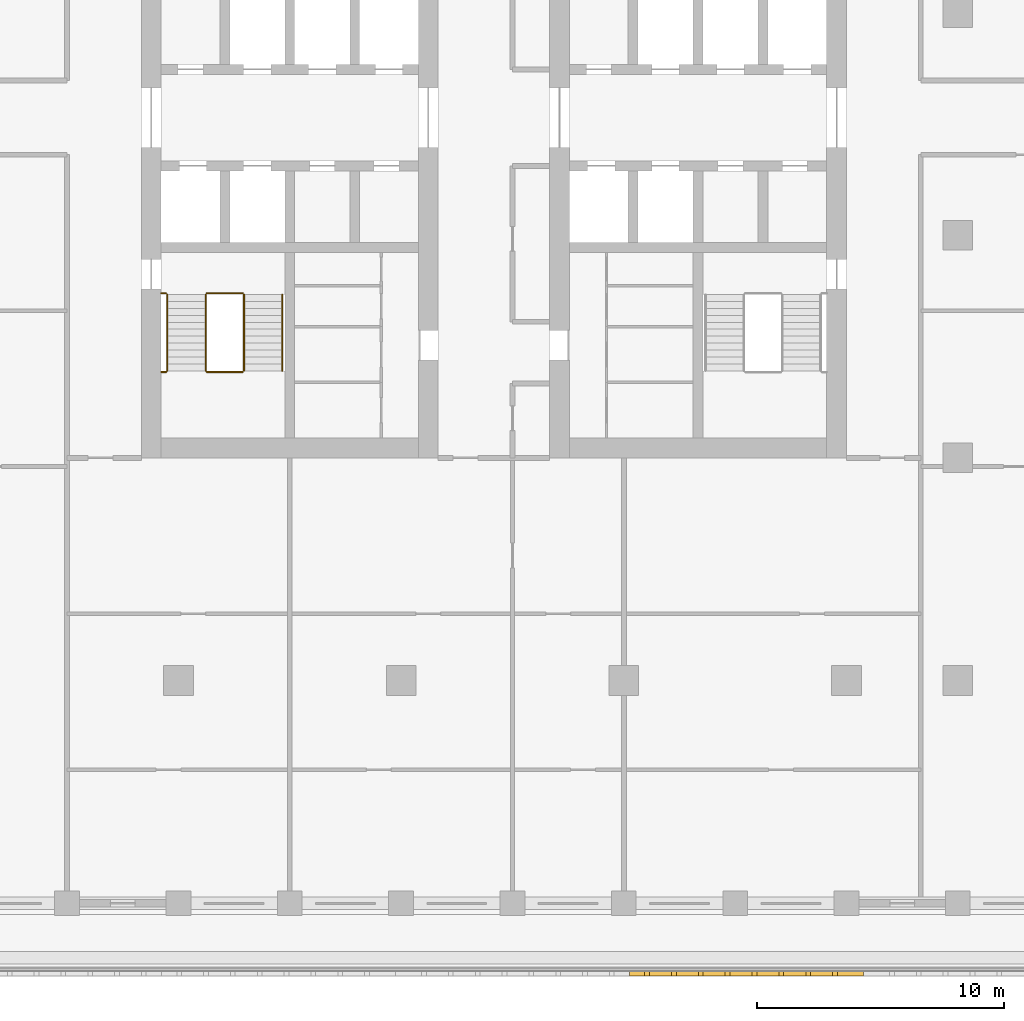
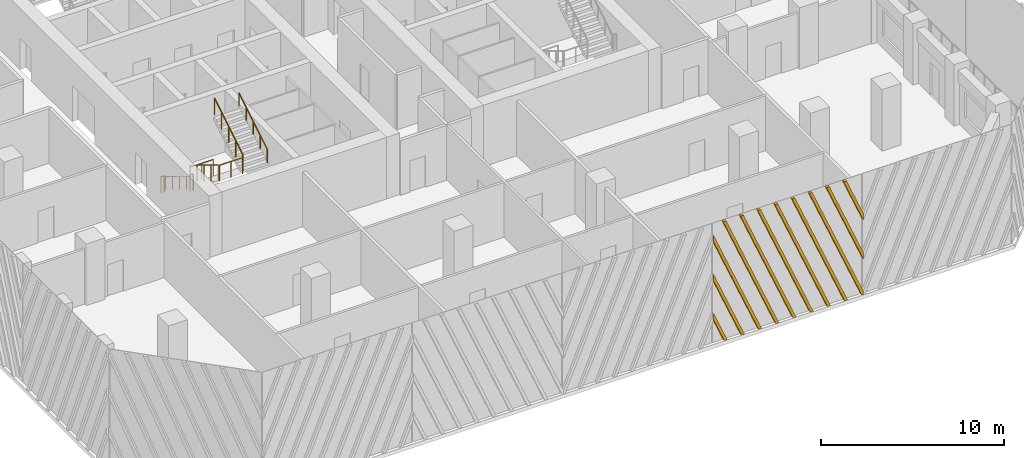
# One storey, part 11 of 17: 8 railings, 1 shading device.
"""IFC4 building model written with IfcOpenShell, lengths in metres."""

from ifc_helpers import new_model, si_unit, direction, frame, origin, origin_2d, place, context, subcontext, project, spatial, polyline, circle, outline, extrude, source, transform, mapped, material, type_object, element, save


model = new_model("IFC4")

# Units and contexts
model_context = context("Model", 3, precision=1e-05, world=origin(), true_north=direction((0.0, 1.0)))
body_context = subcontext(model_context, "Body", "Model", "MODEL_VIEW")
ifc_project = project(units=[si_unit("LENGTHUNIT", "METRE"), si_unit("AREAUNIT", "SQUARE_METRE"), si_unit("VOLUMEUNIT", "CUBIC_METRE"), si_unit("PLANEANGLEUNIT", "RADIAN"), si_unit("MASSUNIT", "GRAM", prefix="KILO")], contexts=[model_context])

# Site, building, storey
site_placement = place(None, origin())
site = spatial("IfcSite", under=ifc_project, at=site_placement, CompositionType="ELEMENT")
building_placement = place(site_placement, origin())
building = spatial("IfcBuilding", under=site, at=building_placement, Name="Corbel Stack Research Tower", CompositionType="ELEMENT")
storey_placement = place(building_placement, frame((0.0, 0.0, 207.89990234375)))
storey = spatial("IfcBuildingStorey", under=building, at=storey_placement, Name="L47", CompositionType="ELEMENT", Elevation=207.89990234375)

# Railings
ifc_material_1 = material(Name="Steel S355", Category="steel")
railing_type_1 = type_object("IfcRailingType", Name="Stair guard 1100", PredefinedType="GUARDRAIL", material=ifc_material_1)
railing_1_placement = place(storey_placement, frame((-7.89990234375, -2.39990234375, 0.1708984375)))
element("IfcRailing", 1, at=railing_1_placement, inside=storey, type_object=railing_type_1, Name="L47 ST-W1 stair guard 1", PredefinedType="GUARDRAIL", context=body_context, shape_type="SweptSolid", body=[
    extrude(circle(Radius=0.02392578125, at=origin_2d()), frame((0.0, 0.0, 1.076171875), z_axis=(0.0, -0.853666305674, 0.52082035152), x_axis=(1.0, 0.0, 0.0)), (0.0, 0.0, 1.0), 3.608154296875),
    extrude(circle(Radius=0.02099609375, at=origin_2d()), origin(), (0.0, 0.0, 1.0), 1.052001953125),
    extrude(circle(Radius=0.02099609375, at=origin_2d()), frame((0.0, -0.77001953125, 0.4697265625)), (0.0, 0.0, 1.0), 1.052001953125),
    extrude(circle(Radius=0.02099609375, at=origin_2d()), frame((0.0, -1.5400390625, 0.939453125)), (0.0, 0.0, 1.0), 1.052001953125),
    extrude(circle(Radius=0.02099609375, at=origin_2d()), frame((0.0, -2.31005859375, 1.409423828125)), (0.0, 0.0, 1.0), 1.052001953125),
    extrude(circle(Radius=0.02099609375, at=origin_2d()), frame((0.0, -3.080078125, 1.879150390625)), (0.0, 0.0, 1.0), 1.052001953125),
])
railing_2_placement = place(storey_placement, frame((-7.85009765625, -5.530029296875, 2.050048828125)))
element("IfcRailing", 2, at=railing_2_placement, inside=storey, type_object=railing_type_1, Name="L47 ST-W1 stair guard 2", PredefinedType="GUARDRAIL", context=body_context, shape_type="SweptSolid", body=[
    extrude(circle(Radius=0.02392578125, at=origin_2d()), frame((0.0, 0.0, 1.076171875), z_axis=(1.0, 0.0, 0.0), x_axis=(0.0, 1.0, 0.0)), (0.0, 0.0, 1.0), 1.4501953125),
    extrude(circle(Radius=0.02099609375, at=origin_2d()), origin(), (0.0, 0.0, 1.0), 1.052001953125),
    extrude(circle(Radius=0.02099609375, at=origin_2d()), frame((0.72509765625, 0.0, 0.0)), (0.0, 0.0, 1.0), 1.052001953125),
    extrude(circle(Radius=0.02099609375, at=origin_2d()), frame((1.4501953125, 0.0, 0.0)), (0.0, 0.0, 1.0), 1.052001953125),
])
railing_3_placement = place(storey_placement, frame((-9.699951171875, -5.530029296875, 2.050048828125)))
element("IfcRailing", 3, at=railing_3_placement, inside=storey, type_object=railing_type_1, Name="L47 ST-W1 stair guard 3", PredefinedType="GUARDRAIL", context=body_context, shape_type="SweptSolid", body=[
    extrude(circle(Radius=0.02392578125, at=origin_2d()), frame((0.0, 0.0, 1.076171875), z_axis=(1.0, 0.0, 0.0), x_axis=(0.0, 1.0, 0.0)), (0.0, 0.0, 1.0), 0.199951171875),
    extrude(circle(Radius=0.02099609375, at=origin_2d()), origin(), (0.0, 0.0, 1.0), 1.052001953125),
    extrude(circle(Radius=0.02099609375, at=origin_2d()), frame((0.199951171875, 0.0, 0.0)), (0.0, 0.0, 1.0), 1.052001953125),
])
railing_4_placement = place(storey_placement, frame((-6.35009765625, -5.47998046875, 2.220947265625)))
element("IfcRailing", 4, at=railing_4_placement, inside=storey, type_object=railing_type_1, Name="L47 ST-W1 stair guard 4", PredefinedType="GUARDRAIL", context=body_context, shape_type="SweptSolid", body=[
    extrude(circle(Radius=0.02392578125, at=origin_2d()), frame((0.0, 0.0, 1.076171875), z_axis=(0.0, 0.853666305674, 0.52082035152), x_axis=(-1.0, 0.0, 0.0)), (0.0, 0.0, 1.0), 3.608154296875),
    extrude(circle(Radius=0.02099609375, at=origin_2d()), origin(), (0.0, 0.0, 1.0), 1.052001953125),
    extrude(circle(Radius=0.02099609375, at=origin_2d()), frame((0.0, 0.77001953125, 0.4697265625)), (0.0, 0.0, 1.0), 1.052001953125),
    extrude(circle(Radius=0.02099609375, at=origin_2d()), frame((0.0, 1.5400390625, 0.939453125)), (0.0, 0.0, 1.0), 1.052001953125),
    extrude(circle(Radius=0.02099609375, at=origin_2d()), frame((0.0, 2.31005859375, 1.409423828125)), (0.0, 0.0, 1.0), 1.052001953125),
    extrude(circle(Radius=0.02099609375, at=origin_2d()), frame((0.0, 3.080078125, 1.879150390625)), (0.0, 0.0, 1.0), 1.052001953125),
])
railing_5_placement = place(storey_placement, frame((-7.85009765625, -2.35009765625, 0.0)))
element("IfcRailing", 5, at=railing_5_placement, inside=storey, type_object=railing_type_1, Name="L47 ST-W1 stair guard 5", PredefinedType="GUARDRAIL", context=body_context, shape_type="SweptSolid", body=[
    extrude(circle(Radius=0.02392578125, at=origin_2d()), frame((0.0, 0.0, 1.076171875), z_axis=(1.0, 0.0, 0.0), x_axis=(0.0, 1.0, 0.0)), (0.0, 0.0, 1.0), 1.4501953125),
    extrude(circle(Radius=0.02099609375, at=origin_2d()), origin(), (0.0, 0.0, 1.0), 1.052001953125),
    extrude(circle(Radius=0.02099609375, at=origin_2d()), frame((0.72509765625, 0.0, 0.0)), (0.0, 0.0, 1.0), 1.052001953125),
    extrude(circle(Radius=0.02099609375, at=origin_2d()), frame((1.4501953125, 0.0, 0.0)), (0.0, 0.0, 1.0), 1.052001953125),
])
railing_6_placement = place(storey_placement, frame((-9.699951171875, -2.35009765625, 0.0)))
element("IfcRailing", 6, at=railing_6_placement, inside=storey, type_object=railing_type_1, Name="L47 ST-W1 stair guard 6", PredefinedType="GUARDRAIL", context=body_context, shape_type="SweptSolid", body=[
    extrude(circle(Radius=0.02392578125, at=origin_2d()), frame((0.0, 0.0, 1.076171875), z_axis=(1.0, 0.0, 0.0), x_axis=(0.0, 1.0, 0.0)), (0.0, 0.0, 1.0), 0.199951171875),
    extrude(circle(Radius=0.02099609375, at=origin_2d()), origin(), (0.0, 0.0, 1.0), 1.052001953125),
    extrude(circle(Radius=0.02099609375, at=origin_2d()), frame((0.199951171875, 0.0, 0.0)), (0.0, 0.0, 1.0), 1.052001953125),
])
ifc_material_2 = material(Name="Steel S355", Category="steel")
railing_type_2 = type_object("IfcRailingType", Name="Stair handrail 900", PredefinedType="HANDRAIL", material=ifc_material_2)
railing_7_placement = place(storey_placement, frame((-9.449951171875, -2.39990234375, 0.1708984375)))
element("IfcRailing", 7, at=railing_7_placement, inside=storey, type_object=railing_type_2, Name="L47 ST-W1 stair handrail 1", PredefinedType="HANDRAIL", context=body_context, shape_type="SweptSolid", body=[
    extrude(circle(Radius=0.02392578125, at=origin_2d()), frame((0.0, 0.0, 0.8759765625), z_axis=(0.0, -0.853666305674, 0.52082035152), x_axis=(1.0, 0.0, 0.0)), (0.0, 0.0, 1.0), 3.608154296875),
    extrude(circle(Radius=0.02099609375, at=origin_2d()), origin(), (0.0, 0.0, 1.0), 0.851806640625),
    extrude(circle(Radius=0.02099609375, at=origin_2d()), frame((0.0, -0.77001953125, 0.4697265625)), (0.0, 0.0, 1.0), 0.851806640625),
    extrude(circle(Radius=0.02099609375, at=origin_2d()), frame((0.0, -1.5400390625, 0.939453125)), (0.0, 0.0, 1.0), 0.851806640625),
    extrude(circle(Radius=0.02099609375, at=origin_2d()), frame((0.0, -2.31005859375, 1.409423828125)), (0.0, 0.0, 1.0), 0.851806640625),
    extrude(circle(Radius=0.02099609375, at=origin_2d()), frame((0.0, -3.080078125, 1.879150390625)), (0.0, 0.0, 1.0), 0.851806640625),
])
railing_8_placement = place(storey_placement, frame((-4.800048828125, -5.47998046875, 2.220947265625)))
element("IfcRailing", 8, at=railing_8_placement, inside=storey, type_object=railing_type_2, Name="L47 ST-W1 stair handrail 2", PredefinedType="HANDRAIL", context=body_context, shape_type="SweptSolid", body=[
    extrude(circle(Radius=0.02392578125, at=origin_2d()), frame((0.0, 0.0, 0.8759765625), z_axis=(0.0, 0.853666305674, 0.52082035152), x_axis=(-1.0, 0.0, 0.0)), (0.0, 0.0, 1.0), 3.608154296875),
    extrude(circle(Radius=0.02099609375, at=origin_2d()), origin(), (0.0, 0.0, 1.0), 0.851806640625),
    extrude(circle(Radius=0.02099609375, at=origin_2d()), frame((0.0, 0.77001953125, 0.4697265625)), (0.0, 0.0, 1.0), 0.851806640625),
    extrude(circle(Radius=0.02099609375, at=origin_2d()), frame((0.0, 1.5400390625, 0.939453125)), (0.0, 0.0, 1.0), 0.851806640625),
    extrude(circle(Radius=0.02099609375, at=origin_2d()), frame((0.0, 2.31005859375, 1.409423828125)), (0.0, 0.0, 1.0), 0.851806640625),
    extrude(circle(Radius=0.02099609375, at=origin_2d()), frame((0.0, 3.080078125, 1.879150390625)), (0.0, 0.0, 1.0), 0.851806640625),
])

# Shading device
ifc_material_3 = material(Name="Precast terracotta", Category="masonry")
shading_device_type = type_object("IfcShadingDeviceType", Name="Terracotta screen panel", PredefinedType="USERDEFINED", material=ifc_material_3)
shared_shape = source(origin(), body_context, "Body", "SweptSolid", [
    extrude(outline(polyline([(0.873291015625, 0.0), (0.0, 2.091064453125), (0.0, 1.635986328125), (0.683349609375, 0.0), (0.873291015625, 0.0)])), frame((0.0, 0.0, 0.0), z_axis=(0.0, -1.0, 0.0), x_axis=(1.0, 0.0, 0.0)), (0.0, 0.0, 1.0), 0.179931640625),
    extrude(outline(polyline([(1.9580078125, 0.0), (0.0, 4.688232421875), (0.0, 4.2333984375), (1.76806640625, 0.0), (1.9580078125, 0.0)])), frame((0.0, 0.0, 0.0), z_axis=(0.0, -1.0, 0.0), x_axis=(1.0, 0.0, 0.0)), (0.0, 0.0, 1.0), 0.179931640625),
    extrude(outline(polyline([(3.04248046875, 0.0), (0.0, 7.285400390625), (0.0, 6.83056640625), (2.8525390625, 0.0), (3.04248046875, 0.0)])), frame((0.0, 0.0, 0.0), z_axis=(0.0, -1.0, 0.0), x_axis=(1.0, 0.0, 0.0)), (0.0, 0.0, 1.0), 0.179931640625),
    extrude(outline(polyline([(4.127197265625, 0.0), (0.80712890625, 7.949951171875), (0.6171875, 7.949951171875), (3.937255859375, 0.0), (4.127197265625, 0.0)])), frame((0.0, 0.0, 0.0), z_axis=(0.0, -1.0, 0.0), x_axis=(1.0, 0.0, 0.0)), (0.0, 0.0, 1.0), 0.179931640625),
    extrude(outline(polyline([(5.2119140625, 0.0), (1.891845703125, 7.949951171875), (1.701904296875, 7.949951171875), (5.02197265625, 0.0), (5.2119140625, 0.0)])), frame((0.0, 0.0, 0.0), z_axis=(0.0, -1.0, 0.0), x_axis=(1.0, 0.0, 0.0)), (0.0, 0.0, 1.0), 0.179931640625),
    extrude(outline(polyline([(6.296630859375, 0.0), (2.9765625, 7.949951171875), (2.78662109375, 7.949951171875), (6.106689453125, 0.0), (6.296630859375, 0.0)])), frame((0.0, 0.0, 0.0), z_axis=(0.0, -1.0, 0.0), x_axis=(1.0, 0.0, 0.0)), (0.0, 0.0, 1.0), 0.179931640625),
    extrude(outline(polyline([(7.38134765625, 0.0), (4.06103515625, 7.949951171875), (3.87109375, 7.949951171875), (7.19140625, 0.0), (7.38134765625, 0.0)])), frame((0.0, 0.0, 0.0), z_axis=(0.0, -1.0, 0.0), x_axis=(1.0, 0.0, 0.0)), (0.0, 0.0, 1.0), 0.179931640625),
    extrude(outline(polyline([(8.466064453125, 0.0), (5.145751953125, 7.949951171875), (4.955810546875, 7.949951171875), (8.27587890625, 0.0), (8.466064453125, 0.0)])), frame((0.0, 0.0, 0.0), z_axis=(0.0, -1.0, 0.0), x_axis=(1.0, 0.0, 0.0)), (0.0, 0.0, 1.0), 0.179931640625),
    extrude(outline(polyline([(9.45556640625, 0.0), (9.45556640625, 0.2275390625), (6.23046875, 7.949951171875), (6.04052734375, 7.949951171875), (9.360595703125, 0.0), (9.45556640625, 0.0)])), frame((0.0, 0.0, 0.0), z_axis=(0.0, -1.0, 0.0), x_axis=(1.0, 0.0, 0.0)), (0.0, 0.0, 1.0), 0.179931640625),
    extrude(outline(polyline([(7.315185546875, 7.949951171875), (7.125, 7.949951171875), (9.45556640625, 2.36962890625), (9.45556640625, 2.82470703125), (7.315185546875, 7.949951171875)])), frame((0.0, 0.0, 0.0), z_axis=(0.0, -1.0, 0.0), x_axis=(1.0, 0.0, 0.0)), (0.0, 0.0, 1.0), 0.179931640625),
    extrude(outline(polyline([(8.39990234375, 7.949951171875), (8.209716796875, 7.949951171875), (9.45556640625, 4.966796875), (9.45556640625, 5.421875), (8.39990234375, 7.949951171875)])), frame((0.0, 0.0, 0.0), z_axis=(0.0, -1.0, 0.0), x_axis=(1.0, 0.0, 0.0)), (0.0, 0.0, 1.0), 0.179931640625),
])
shading_device_placement = place(storey_placement, frame((9.227783203125, -29.75, 0.0), z_axis=(0.0, 0.0, 1.0), x_axis=(1.0, 0.0, 0.0)))
element("IfcShadingDevice", 9, at=shading_device_placement, inside=storey, type_object=shading_device_type, Name="Terracotta screen L47 S4", ObjectType="SCREEN", PredefinedType="USERDEFINED", context=body_context, shape_type="MappedRepresentation", body=[
    mapped(shared_shape, transform((0.0, 0.0, 0.0))),
])

save(model, "model.ifc")
